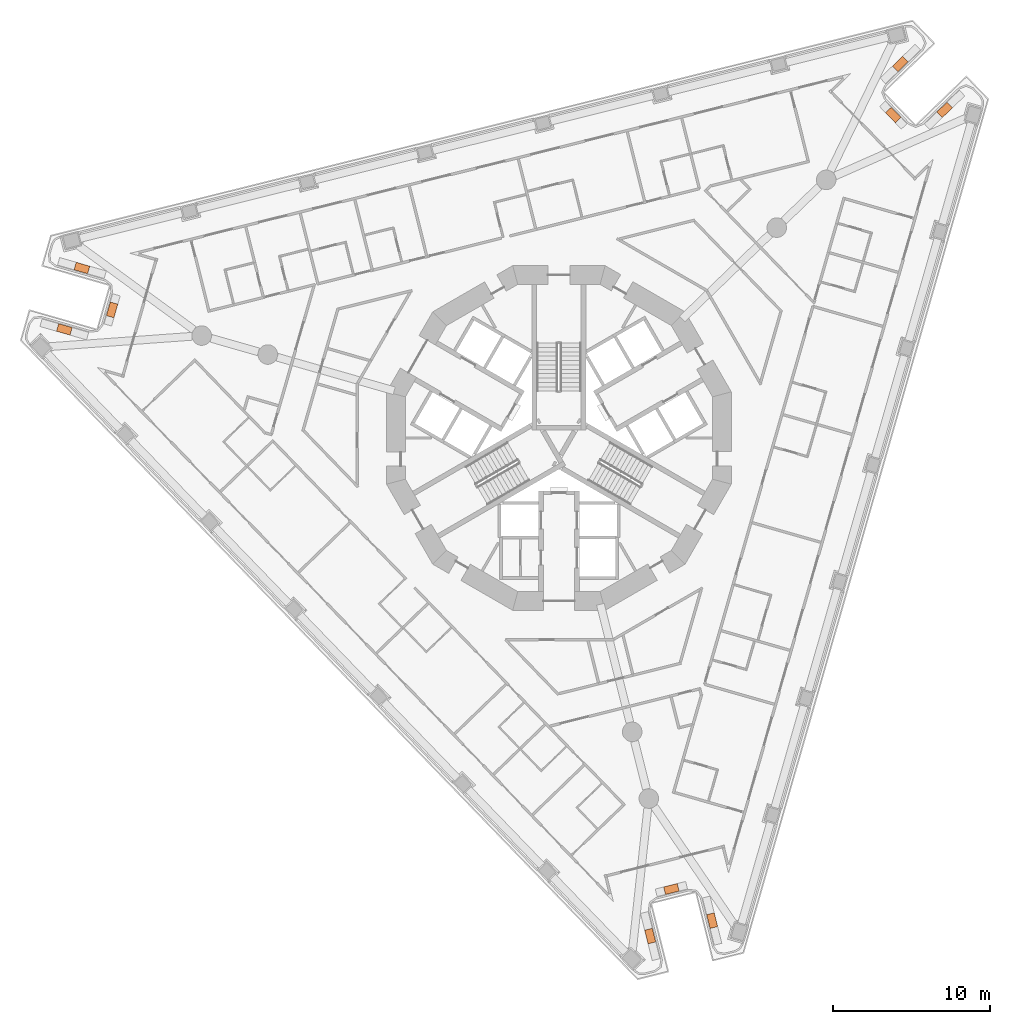
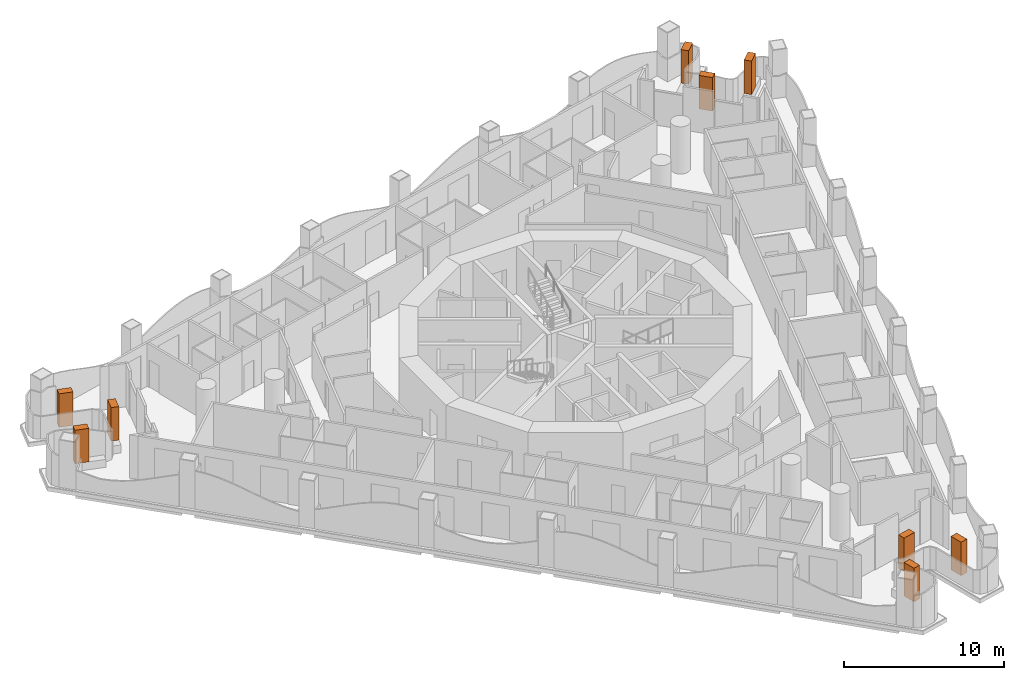
# One storey, part 18 of 18: 9 geographic elements.
"""IFC4 building model written with IfcOpenShell, lengths in metres."""

import ifcopenshell
import ifcopenshell.guid

model = None  # the IFC model being written
_history = None  # IfcOwnerHistory: only IFC2X3 demands one
_inside = {}  # id of a spatial element -> (the spatial element, [elements in it])
_under = {}  # id of a project, library or spatial element -> (it, [spatial elements below it])
_declared = {}  # id of a project -> (the project, [libraries it declares])
_typed = {}  # id of a type object -> (the type object, [elements of that type])
_made_of = {}  # id of a material, layer set ... -> (it, [elements and type objects made of it])


def new_model(schema):
    """Start an empty IFC model of exactly this schema.

    Asked for "IFC4X3", IfcOpenShell would pick the latest addendum, in which some entities
    have other attributes; the version numbers below select the first issue.
    IFC2X3 requires an IfcOwnerHistory on every rooted entity: one is made here for all.
    """
    global model, _history
    if schema == "IFC4X3":
        model = ifcopenshell.file(schema_version=(4, 3, 0, 0))
    else:
        model = ifcopenshell.file(schema=schema)
    _inside.clear()
    _under.clear()
    _declared.clear()
    _typed.clear()
    _made_of.clear()
    _history = None
    if model.schema == "IFC2X3":
        org = make("IfcOrganization", Name="unknown")
        user = make(
            "IfcPersonAndOrganization",
            ThePerson=make("IfcPerson", FamilyName="unknown"),
            TheOrganization=org,
        )
        app = make(
            "IfcApplication",
            ApplicationDeveloper=org,
            Version="unknown",
            ApplicationFullName="unknown",
            ApplicationIdentifier="unknown",
        )
        _history = make(
            "IfcOwnerHistory",
            OwningUser=user,
            OwningApplication=app,
            ChangeAction="ADDED",
            CreationDate=0,
        )
    return model


def make(cls, **values):
    """One entity of the class cls with the attributes given. An attribute that is None is left unset."""
    return model.create_entity(
        cls, **{name: value for name, value in values.items() if value is not None}
    )


def rooted(cls, **values):
    """An entity with a GlobalId (a new one), such as an element, a storey or a relation."""
    return make(cls, GlobalId=ifcopenshell.guid.new(), OwnerHistory=_history, **values)


def si_unit(unit_type, name, prefix=None):
    """IfcSIUnit, for example si_unit("LENGTHUNIT", "METRE", prefix="MILLI")."""
    return make("IfcSIUnit", UnitType=unit_type, Prefix=prefix, Name=name)


def assignment(units):
    """IfcUnitAssignment: the units of a project."""
    return None if units is None else make("IfcUnitAssignment", Units=units)


def point(xyz):
    """IfcCartesianPoint."""
    return None if xyz is None else make("IfcCartesianPoint", Coordinates=xyz)


def direction(xyz):
    """IfcDirection."""
    return None if xyz is None else make("IfcDirection", DirectionRatios=xyz)


def frame(location, z_axis=None, x_axis=None):
    """IfcAxis2Placement3D, a coordinate frame: its origin and axes. An axis left out is left unset."""
    return make(
        "IfcAxis2Placement3D",
        Location=point(location),
        Axis=direction(z_axis),
        RefDirection=direction(x_axis),
    )


def frame_2d(location, x_axis=None):
    """IfcAxis2Placement2D, a coordinate frame in the plane: its origin and x axis."""
    return make(
        "IfcAxis2Placement2D", Location=point(location), RefDirection=direction(x_axis)
    )


def origin():
    """The frame at (0, 0, 0) with its axes left unset."""
    return frame((0.0, 0.0, 0.0))


def origin_2d():
    """The frame at (0, 0) in the plane with its x axis left unset."""
    return frame_2d((0.0, 0.0))


def place(relative_to, where):
    """IfcLocalPlacement: puts the frame where relative to a parent placement (None: the world)."""
    return make(
        "IfcLocalPlacement", PlacementRelTo=relative_to, RelativePlacement=where
    )


def context(
    kind, dimensions, precision=None, world=None, true_north=None, identifier=None
):
    """IfcGeometricRepresentationContext, for example the 3D "Model" context."""
    return make(
        "IfcGeometricRepresentationContext",
        ContextIdentifier=identifier,
        ContextType=kind,
        CoordinateSpaceDimension=dimensions,
        Precision=precision,
        WorldCoordinateSystem=world,
        TrueNorth=true_north,
    )


def subcontext(parent, identifier, kind, view, scale=None):
    """IfcGeometricRepresentationSubContext, for example "Body" below "Model"."""
    return make(
        "IfcGeometricRepresentationSubContext",
        ContextIdentifier=identifier,
        ContextType=kind,
        ParentContext=parent,
        TargetScale=scale,
        TargetView=view,
    )


def project(units=None, contexts=None):
    """IfcProject with its units and contexts."""
    return rooted(
        "IfcProject",
        Name="project",
        RepresentationContexts=contexts,
        UnitsInContext=assignment(units),
    )


def spatial(cls, under=None, at=None, **own):
    """A site, building, storey or space (cls), placed at a placement, below another one or the project."""
    s = rooted(cls, ObjectPlacement=at, **own)
    if under is not None:
        _under.setdefault(under.id(), (under, []))[1].append(s)
    return s


def profile(cls, at=None, kind="AREA", **sizes):
    """A parametric profile (cls). Its sizes go by their IFC names, for example OverallWidth=200.0."""
    return make(cls, ProfileType=kind, Position=at, **sizes)


def rectangle(**sizes):
    """IfcRectangleProfileDef."""
    return profile("IfcRectangleProfileDef", **sizes)


def extrude(swept, where, along, depth):
    """IfcExtrudedAreaSolid: the profile swept, set in the frame where, extruded along a direction by depth."""
    return make(
        "IfcExtrudedAreaSolid",
        SweptArea=swept,
        Position=where,
        ExtrudedDirection=direction(along),
        Depth=depth,
    )


def shape(context_of_items, identifier, shape_type, items):
    """IfcShapeRepresentation: the items that make up one representation, for example the "Body"."""
    return make(
        "IfcShapeRepresentation",
        ContextOfItems=context_of_items,
        RepresentationIdentifier=identifier,
        RepresentationType=shape_type,
        Items=items,
    )


def made_of(thing, what):
    """Note that an element or type object is made of a material, layer set ...; save() writes the relation."""
    if what is not None:
        _made_of.setdefault(what.id(), (what, []))[1].append(thing)
    return thing


def element(
    cls,
    number,
    at=None,
    inside=None,
    cuts=None,
    type_object=None,
    material=None,
    context=None,
    identifier="Body",
    shape_type=None,
    held_by="IfcProductDefinitionShape",
    body=None,
    shapes=None,
    **own,
):
    """One element of the class cls, such as IfcWall. Its Tag is "e" and its number.

    at: its placement. inside: the storey or other place that contains it. cuts: it is an
    opening in that element (IfcRelVoidsElement). A single representation is given by context,
    identifier, shape_type and body (its items); several are given by shapes. held_by: the class
    of the entity that holds the representations. save() writes the other relations.
    """
    e = rooted(cls, Tag="e%d" % number, ObjectPlacement=at, **own)
    if body is not None:
        shapes = [shape(context, identifier, shape_type, body)]
    if shapes is not None:
        e.Representation = make(held_by, Representations=shapes)
    if inside is not None:
        _inside.setdefault(inside.id(), (inside, []))[1].append(e)
    if cuts is not None:
        rooted(
            "IfcRelVoidsElement", RelatingBuildingElement=cuts, RelatedOpeningElement=e
        )
    if type_object is not None:
        _typed.setdefault(type_object.id(), (type_object, []))[1].append(e)
    return made_of(e, material)


def aggregate(whole, parts):
    """IfcRelAggregates: a whole, such as a stair, and the parts it consists of."""
    return rooted("IfcRelAggregates", RelatingObject=whole, RelatedObjects=parts)


def save(model, path):
    """Write the relations noted so far, then the file.

    IfcRelAggregates (storeys below a building ...), IfcRelContainedInSpatialStructure (elements
    in a storey), IfcRelDefinesByType, IfcRelAssociatesMaterial and IfcRelDeclares: one each for
    every whole, place, type object, material and project.
    """
    for whole, parts in _under.values():
        aggregate(whole, parts)
    for where, things in _inside.values():
        rooted(
            "IfcRelContainedInSpatialStructure",
            RelatedElements=things,
            RelatingStructure=where,
        )
    for kind, things in _typed.values():
        rooted("IfcRelDefinesByType", RelatedObjects=things, RelatingType=kind)
    for what, things in _made_of.values():
        rooted("IfcRelAssociatesMaterial", RelatedObjects=things, RelatingMaterial=what)
    for by, libraries in _declared.values():
        rooted("IfcRelDeclares", RelatingContext=by, RelatedDefinitions=libraries)
    model.write(path)


model = new_model("IFC4")

# Units and contexts
model_context = context("Model", 3, precision=1e-05, world=origin(), true_north=direction((0.0, 1.0)))
body_context = subcontext(model_context, "Body", "Model", "MODEL_VIEW")
ifc_project = project(units=[si_unit("LENGTHUNIT", "METRE"), si_unit("AREAUNIT", "SQUARE_METRE"), si_unit("VOLUMEUNIT", "CUBIC_METRE"), si_unit("PLANEANGLEUNIT", "RADIAN"), si_unit("MASSUNIT", "GRAM", prefix="KILO")], contexts=[model_context])

# Site, building, storey
site_placement = place(None, origin())
site = spatial("IfcSite", under=ifc_project, at=site_placement, CompositionType="ELEMENT")
building_placement = place(site_placement, origin())
building = spatial("IfcBuilding", under=site, at=building_placement, Name="Trine Commons Tower", CompositionType="ELEMENT")
storey_placement = place(building_placement, frame((0.0, 0.0, 94.5)))
storey = spatial("IfcBuildingStorey", under=building, at=storey_placement, Name="L23", CompositionType="ELEMENT", Elevation=94.5)

# Geographic elements
for number, where, z_axis, x_axis, name in (
    (1, (48.400634765625, 69.438720703125, 0.60009765625), (0.0, 0.0, 1.0), (0.961260733777, -0.275640711252, 0.0), "Tree 1.1"),
    (2, (51.45263671875, 70.685791015625, 0.60009765625), (0.0, 0.0, 1.0), (0.275645744397, 0.961259290512, 0.0), "Tree 2.1"),
    (3, (49.525146484375, 73.360595703125, 0.60009765625), (0.0, 0.0, 1.0), (-0.961262658088, 0.275634000379, 0.0), "Tree 3.1"),
    (4, (101.808837890625, 86.396484375, 0.60009765625), (0.0, 0.0, 1.0), (-0.719332525854, -0.69466590333, 0.0), "Tree 4.1"),
    (5, (101.36279296875, 83.1298828125, 0.60009765625), (0.0, 0.0, 1.0), (0.694658370459, -0.719339800339, 0.0), "Tree 5.1"),
    (6, (104.64306640625, 83.461669921875, 0.60009765625), (0.0, 0.0, 1.0), (0.719362835687, 0.694634515866, 0.0), "Tree 6.1"),
    (7, (89.79052734375, 31.664794921875, 0.60009765625), (0.0, 0.0, 1.0), (-0.241908347692, 0.970299104048, 0.0), "Tree 7.1"),
    (8, (87.1845703125, 33.684326171875, 0.60009765625), (0.0, 0.0, 1.0), (-0.970297415186, -0.241915121652, 0.0), "Tree 8.1"),
    (9, (85.831787109375, 30.677734375, 0.60009765625), (0.0, 0.0, 1.0), (0.241908347692, -0.970299104048, 0.0), "Tree 9.1"),
):
    element("IfcGeographicElement", number, at=place(storey_placement, frame(where, z_axis=z_axis, x_axis=x_axis)), inside=storey, Name=name, ObjectType="TREE Tabebuia rosea", PredefinedType="USERDEFINED", context=body_context, shape_type="SweptSolid", body=[
        extrude(rectangle(XDim=0.89990234375, YDim=0.5, at=origin_2d()), origin(), (0.0, 0.0, 1.0), 2.550048828125),
    ])

save(model, "model.ifc")
